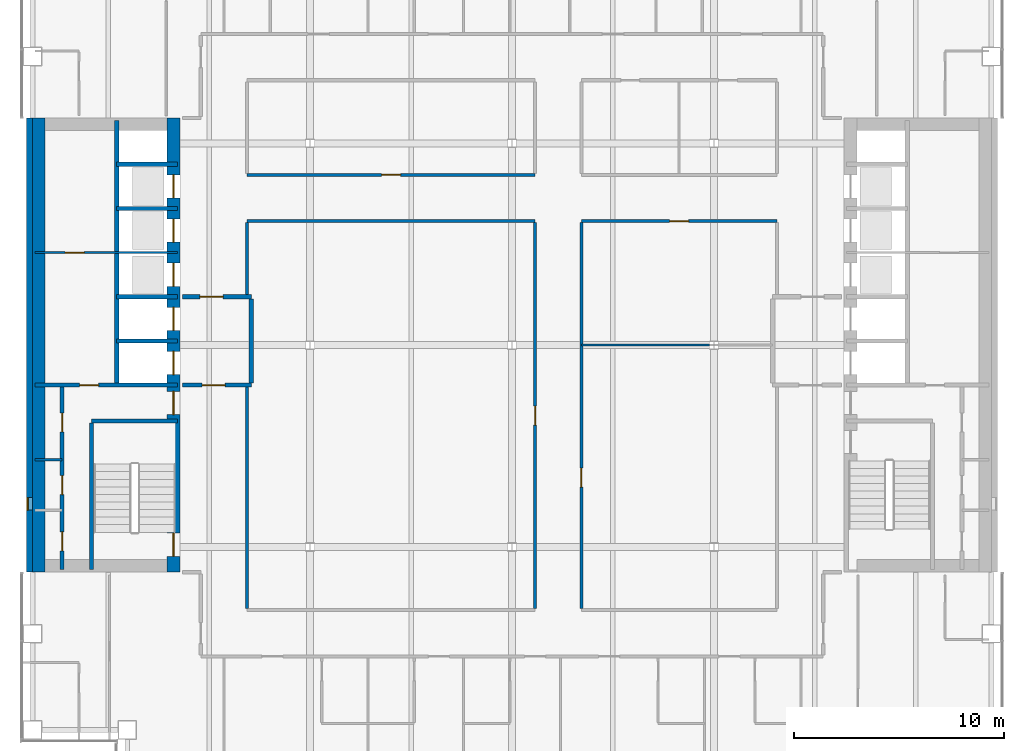
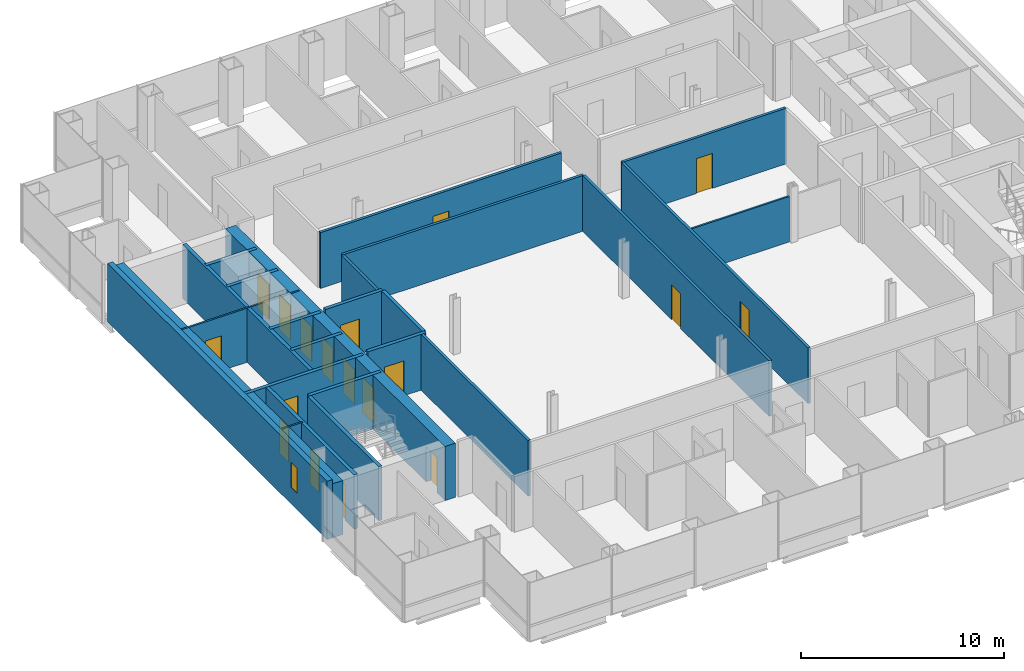
# One storey, part 11 of 16: 26 walls, 18 doors, 1 window, 19 openings.
"""IFC4 building model written with IfcOpenShell, lengths in metres."""

from ifc_helpers import new_model, si_unit, direction, frame, frame_2d, origin, place, context, subcontext, project, spatial, rectangle, extrude, material, layer, layer_set, type_object, element, fill, save


model = new_model("IFC4")

# Units and contexts
model_context = context("Model", 3, precision=1e-05, world=origin(), true_north=direction((0.0, 1.0)))
body_context = subcontext(model_context, "Body", "Model", "MODEL_VIEW")
ifc_project = project(units=[si_unit("LENGTHUNIT", "METRE"), si_unit("AREAUNIT", "SQUARE_METRE"), si_unit("VOLUMEUNIT", "CUBIC_METRE"), si_unit("PLANEANGLEUNIT", "RADIAN"), si_unit("MASSUNIT", "GRAM", prefix="KILO")], contexts=[model_context])

# Site, building, storey
site_placement = place(None, origin())
site = spatial("IfcSite", under=ifc_project, at=site_placement, CompositionType="ELEMENT")
building_placement = place(site_placement, origin())
building = spatial("IfcBuilding", under=site, at=building_placement, Name="Cobrizo Arcos Hotel Tower", CompositionType="ELEMENT")
storey_placement = place(building_placement, frame((0.0, 0.0, 92.5)))
storey = spatial("IfcBuildingStorey", under=building, at=storey_placement, Name="L22", CompositionType="ELEMENT", Elevation=92.5)

# Wall
ifc_material_1 = material(Name="Gypsum board partition")
ifc_layer_1 = layer(ifc_material_1, 0.14990234375)
ifc_layer_set_1 = layer_set([ifc_layer_1], Name="Corridor wall EI 60 150")
wall_type_1 = type_object("IfcWallType", Name="Corridor wall EI 60 150", PredefinedType="PARTITIONING", material=ifc_layer_set_1)
wall_1_placement = place(storey_placement, frame((-12.60009765625, 5.89990234375, 0.0), z_axis=(0.0, 0.0, 1.0), x_axis=(1.0, 0.0, 0.0)))
element("IfcWall", 1, at=wall_1_placement, inside=storey, type_object=wall_type_1, Name="Partition 033", PredefinedType="PARTITIONING", context=body_context, shape_type="SweptSolid", body=[
    extrude(rectangle(XDim=13.7001953125, YDim=0.14990234375, at=frame_2d((6.85009765625, 0.0))), origin(), (0.0, 0.0, 1.0), 3.35009765625),
])

# Wall, opening, door
wall_2_placement = place(storey_placement, frame((3.300048828125, 5.89990234375, 0.0), z_axis=(0.0, 0.0, 1.0), x_axis=(1.0, 0.0, 0.0)))
wall_2 = element("IfcWall", 2, at=wall_2_placement, inside=storey, type_object=wall_type_1, Name="Partition 034", PredefinedType="PARTITIONING", context=body_context, shape_type="SweptSolid", body=[
    extrude(rectangle(XDim=9.300048828125, YDim=0.14990234375, at=frame_2d((4.64990234375, 0.0))), origin(), (0.0, 0.0, 1.0), 3.35009765625),
])
opening_1_placement = place(wall_2_placement, frame((4.199951171875, 0.0, 0.0)))
opening_1 = element("IfcOpeningElement", 3, at=opening_1_placement, cuts=wall_2, Name="Opening RD-16", PredefinedType="OPENING", context=body_context, shape_type="SweptSolid", body=[
    extrude(rectangle(XDim=0.89990234375, YDim=2.10009765625, at=frame_2d((0.449951171875, 1.050048828125))), frame((0.0, 0.0869140625, 0.0), z_axis=(0.0, -1.0, 0.0), x_axis=(1.0, 0.0, 0.0)), (0.0, 0.0, 1.0), 0.173828125),
])
ifc_material_2 = material(Name="Timber door leaf", Category="wood")
door_type_1 = type_object("IfcDoorType", Name="Room door FD30 900x2100", OperationType="SINGLE_SWING_LEFT", PredefinedType="DOOR", material=ifc_material_2)
door_1_placement = place(opening_1_placement, origin())
door_1 = element("IfcDoor", 4, at=door_1_placement, inside=storey, type_object=door_type_1, Name="Door RD-16", OperationType="SINGLE_SWING_RIGHT", OverallHeight=2.10009765625, OverallWidth=0.89990234375, PredefinedType="DOOR", context=body_context, shape_type="SweptSolid", body=[
    extrude(rectangle(XDim=0.89990234375, YDim=2.10009765625, at=frame_2d((0.449951171875, 1.050048828125))), frame((0.0, 0.02490234375, 0.0), z_axis=(0.0, -1.0, 0.0), x_axis=(1.0, 0.0, 0.0)), (0.0, 0.0, 1.0), 0.050048828125),
])
fill(opening_1, door_1)

wall_3_placement = place(storey_placement, frame((-12.60009765625, 8.10009765625, 0.0), z_axis=(0.0, 0.0, 1.0), x_axis=(1.0, 0.0, 0.0)))
wall_3 = element("IfcWall", 5, at=wall_3_placement, inside=storey, type_object=wall_type_1, Name="Partition 037", PredefinedType="PARTITIONING", context=body_context, shape_type="SweptSolid", body=[
    extrude(rectangle(XDim=13.7001953125, YDim=0.14990234375, at=frame_2d((6.85009765625, 0.0))), origin(), (0.0, 0.0, 1.0), 3.35009765625),
])
opening_2_placement = place(wall_3_placement, frame((6.39990234375, 0.0, 0.0)))
opening_2 = element("IfcOpeningElement", 6, at=opening_2_placement, cuts=wall_3, Name="Opening RD-17", PredefinedType="OPENING", context=body_context, shape_type="SweptSolid", body=[
    extrude(rectangle(XDim=0.89990234375, YDim=2.10009765625, at=frame_2d((0.449951171875, 1.050048828125))), frame((0.0, 0.0869140625, 0.0), z_axis=(0.0, -1.0, 0.0), x_axis=(1.0, 0.0, 0.0)), (0.0, 0.0, 1.0), 0.173828125),
])
door_2_placement = place(opening_2_placement, origin())
door_2 = element("IfcDoor", 7, at=door_2_placement, inside=storey, type_object=door_type_1, Name="Door RD-17", OperationType="SINGLE_SWING_RIGHT", OverallHeight=2.10009765625, OverallWidth=0.89990234375, PredefinedType="DOOR", context=body_context, shape_type="SweptSolid", body=[
    extrude(rectangle(XDim=0.89990234375, YDim=2.10009765625, at=frame_2d((0.449951171875, 1.050048828125))), frame((0.0, 0.02490234375, 0.0), z_axis=(0.0, -1.0, 0.0), x_axis=(1.0, 0.0, 0.0)), (0.0, 0.0, 1.0), 0.050048828125),
])
fill(opening_2, door_2)

# Walls
wall_4_placement = place(storey_placement, frame((-12.60009765625, -12.52490234375, 0.0), z_axis=(0.0, 0.0, 1.0), x_axis=(0.0, 1.0, 0.0)))
element("IfcWall", 8, at=wall_4_placement, inside=storey, type_object=wall_type_1, Name="Partition 064", PredefinedType="PARTITIONING", context=body_context, shape_type="SweptSolid", body=[
    extrude(rectangle(XDim=10.52490234375, YDim=0.14990234375, at=frame_2d((5.262451171875, 0.0))), origin(), (0.0, 0.0, 1.0), 3.35009765625),
])
wall_5_placement = place(storey_placement, frame((-12.60009765625, 2.39990234375, 0.0), z_axis=(0.0, 0.0, 1.0), x_axis=(0.0, 1.0, 0.0)))
element("IfcWall", 9, at=wall_5_placement, inside=storey, type_object=wall_type_1, Name="Partition 065", PredefinedType="PARTITIONING", context=body_context, shape_type="SweptSolid", body=[
    extrude(rectangle(XDim=3.425048828125, YDim=0.14990234375, at=frame_2d((1.71240234375, 0.0))), origin(), (0.0, 0.0, 1.0), 3.35009765625),
])

# Wall, opening, door
wall_6_placement = place(storey_placement, frame((1.10009765625, -12.52490234375, 0.0), z_axis=(0.0, 0.0, 1.0), x_axis=(0.0, 1.0, 0.0)))
wall_6 = element("IfcWall", 10, at=wall_6_placement, inside=storey, type_object=wall_type_1, Name="Partition 079", PredefinedType="PARTITIONING", context=body_context, shape_type="SweptSolid", body=[
    extrude(rectangle(XDim=18.349853515625, YDim=0.14990234375, at=frame_2d((9.1748046875, 0.0))), origin(), (0.0, 0.0, 1.0), 3.35009765625),
])
opening_3_placement = place(wall_6_placement, frame((8.72509765625, 0.0, 0.0)))
opening_3 = element("IfcOpeningElement", 11, at=opening_3_placement, cuts=wall_6, Name="Opening RD-19", PredefinedType="OPENING", context=body_context, shape_type="SweptSolid", body=[
    extrude(rectangle(XDim=0.89990234375, YDim=2.10009765625, at=frame_2d((0.449951171875, 1.050048828125))), frame((0.0, 0.0869140625, 0.0), z_axis=(0.0, -1.0, 0.0), x_axis=(1.0, 0.0, 0.0)), (0.0, 0.0, 1.0), 0.173828125),
])
door_3_placement = place(opening_3_placement, origin())
door_3 = element("IfcDoor", 12, at=door_3_placement, inside=storey, type_object=door_type_1, Name="Door RD-19", OperationType="SINGLE_SWING_RIGHT", OverallHeight=2.10009765625, OverallWidth=0.89990234375, PredefinedType="DOOR", context=body_context, shape_type="SweptSolid", body=[
    extrude(rectangle(XDim=0.89990234375, YDim=2.10009765625, at=frame_2d((0.449951171875, 1.050048828125))), frame((0.0, 0.02490234375, 0.0), z_axis=(0.0, -1.0, 0.0), x_axis=(1.0, 0.0, 0.0)), (0.0, 0.0, 1.0), 0.050048828125),
])
fill(opening_3, door_3)

wall_7_placement = place(storey_placement, frame((3.300048828125, -12.52490234375, 0.0), z_axis=(0.0, 0.0, 1.0), x_axis=(0.0, 1.0, 0.0)))
wall_7 = element("IfcWall", 13, at=wall_7_placement, inside=storey, type_object=wall_type_1, Name="Partition 083", PredefinedType="PARTITIONING", context=body_context, shape_type="SweptSolid", body=[
    extrude(rectangle(XDim=18.349853515625, YDim=0.14990234375, at=frame_2d((9.1748046875, 0.0))), origin(), (0.0, 0.0, 1.0), 3.35009765625),
])
opening_4_placement = place(wall_7_placement, frame((5.77490234375, 0.0, 0.0)))
opening_4 = element("IfcOpeningElement", 14, at=opening_4_placement, cuts=wall_7, Name="Opening RD-18", PredefinedType="OPENING", context=body_context, shape_type="SweptSolid", body=[
    extrude(rectangle(XDim=0.89990234375, YDim=2.10009765625, at=frame_2d((0.449951171875, 1.050048828125))), frame((0.0, 0.0869140625, 0.0), z_axis=(0.0, -1.0, 0.0), x_axis=(1.0, 0.0, 0.0)), (0.0, 0.0, 1.0), 0.173828125),
])
door_4_placement = place(opening_4_placement, origin())
door_4 = element("IfcDoor", 15, at=door_4_placement, inside=storey, type_object=door_type_1, Name="Door RD-18", OperationType="SINGLE_SWING_LEFT", OverallHeight=2.10009765625, OverallWidth=0.89990234375, PredefinedType="DOOR", context=body_context, shape_type="SweptSolid", body=[
    extrude(rectangle(XDim=0.89990234375, YDim=2.10009765625, at=frame_2d((0.449951171875, 1.050048828125))), frame((0.0, 0.02490234375, 0.0), z_axis=(0.0, -1.0, 0.0), x_axis=(1.0, 0.0, 0.0)), (0.0, 0.0, 1.0), 0.050048828125),
])
fill(opening_4, door_4)

# Wall, opening, window
ifc_material_3 = material(Name="Aluminium composite panel pale metal", Category="aluminium")
ifc_layer_2 = layer(ifc_material_3, 0.300048828125)
ifc_layer_set_2 = layer_set([ifc_layer_2], Name="EW-1 insulated panel wall 300")
wall_type_2 = type_object("IfcWallType", Name="EW-1 insulated panel wall 300", PredefinedType="SOLIDWALL", material=ifc_layer_set_2)
wall_8_placement = place(storey_placement, frame((-22.949951171875, 10.800048828125, 0.0), z_axis=(0.0, 0.0, 1.0), x_axis=(0.0, -1.0, 0.0)))
wall_8 = element("IfcWall", 16, at=wall_8_placement, inside=storey, type_object=wall_type_2, Name="Core face wall L22 W", PredefinedType="SOLIDWALL", context=body_context, shape_type="SweptSolid", body=[
    extrude(rectangle(XDim=21.60009765625, YDim=0.300048828125, at=frame_2d((10.800048828125, 0.0))), origin(), (0.0, 0.0, 1.0), 3.5),
])
opening_5_placement = place(wall_8_placement, frame((18.050048828125, 0.0, 1.0)))
opening_5 = element("IfcOpeningElement", 17, at=opening_5_placement, cuts=wall_8, Name="Opening W-46", PredefinedType="OPENING", context=body_context, shape_type="SweptSolid", body=[
    extrude(rectangle(XDim=0.60009765625, YDim=1.5, at=frame_2d((0.300048828125, 0.75))), frame((0.0, 0.162109375, 0.0), z_axis=(0.0, -1.0, 0.0), x_axis=(1.0, 0.0, 0.0)), (0.0, 0.0, 1.0), 0.323974609375),
])
ifc_material_4 = material(Name="Aluminium 6063-T6 and clear laminated glass", Category="aluminium")
window_type = type_object("IfcWindowType", Name="W-C1 core stair slot window 600x1500", PartitioningType="SINGLE_PANEL", PredefinedType="WINDOW", material=ifc_material_4)
window_placement = place(opening_5_placement, origin())
window = element("IfcWindow", 18, at=window_placement, inside=storey, type_object=window_type, Name="Core face wall L22 W window W-46", OverallHeight=1.5, OverallWidth=0.60009765625, PartitioningType="SINGLE_PANEL", PredefinedType="WINDOW", context=body_context, shape_type="SweptSolid", body=[
    extrude(rectangle(XDim=0.60009765625, YDim=1.5, at=frame_2d((0.300048828125, 0.75))), frame((0.0, -0.06005859375, 0.0), z_axis=(0.0, -1.0, 0.0), x_axis=(1.0, 0.0, 0.0)), (0.0, 0.0, 1.0), 0.06005859375),
])
fill(opening_5, window)

# Walls
ifc_layer_3 = layer(ifc_material_1, 0.10009765625)
ifc_layer_set_3 = layer_set([ifc_layer_3], Name="Partition EI 30 100")
wall_type_3 = type_object("IfcWallType", Name="Partition EI 30 100", PredefinedType="PARTITIONING", material=ifc_layer_set_3)
wall_9_placement = place(storey_placement, frame((-22.679931640625, -5.449951171875, 0.0), z_axis=(0.0, 0.0, 1.0), x_axis=(1.0, 0.0, 0.0)))
element("IfcWall", 19, at=wall_9_placement, inside=storey, type_object=wall_type_3, Name="Partition 014", PredefinedType="PARTITIONING", context=body_context, shape_type="SweptSolid", body=[
    extrude(rectangle(XDim=1.280029296875, YDim=0.10009765625, at=frame_2d((0.64013671875, 0.0))), origin(), (0.0, 0.0, 1.0), 3.25),
])
wall_10_placement = place(storey_placement, frame((3.300048828125, 0.0, 0.0), z_axis=(0.0, 0.0, 1.0), x_axis=(1.0, 0.0, 0.0)))
element("IfcWall", 20, at=wall_10_placement, inside=storey, type_object=wall_type_3, Name="Partition 022", PredefinedType="PARTITIONING", context=body_context, shape_type="SweptSolid", body=[
    extrude(rectangle(XDim=6.100830078125, YDim=0.10009765625, at=frame_2d((3.05029296875, 0.0))), origin(), (0.0, 0.0, 1.0), 2.72802734375),
])

# Wall, opening, door
wall_11_placement = place(storey_placement, frame((-22.679931640625, 4.39990234375, 0.0), z_axis=(0.0, 0.0, 1.0), x_axis=(1.0, 0.0, 0.0)))
wall_11 = element("IfcWall", 21, at=wall_11_placement, inside=storey, type_object=wall_type_3, Name="Partition 031", PredefinedType="PARTITIONING", context=body_context, shape_type="SweptSolid", body=[
    extrude(rectangle(XDim=6.760009765625, YDim=0.10009765625, at=frame_2d((3.3798828125, 0.0))), origin(), (0.0, 0.0, 1.0), 3.25),
])
opening_6_placement = place(wall_11_placement, frame((1.429931640625, 0.0, 0.0)))
opening_6 = element("IfcOpeningElement", 22, at=opening_6_placement, cuts=wall_11, Name="Opening RD-05", PredefinedType="OPENING", context=body_context, shape_type="SweptSolid", body=[
    extrude(rectangle(XDim=0.89990234375, YDim=2.10009765625, at=frame_2d((0.449951171875, 1.050048828125))), frame((0.0, 0.06201171875, 0.0), z_axis=(0.0, -1.0, 0.0), x_axis=(1.0, 0.0, 0.0)), (0.0, 0.0, 1.0), 0.1240234375),
])
door_5_placement = place(opening_6_placement, origin())
door_5 = element("IfcDoor", 23, at=door_5_placement, inside=storey, type_object=door_type_1, Name="Door RD-05", OperationType="SINGLE_SWING_RIGHT", OverallHeight=2.10009765625, OverallWidth=0.89990234375, PredefinedType="DOOR", context=body_context, shape_type="SweptSolid", body=[
    extrude(rectangle(XDim=0.89990234375, YDim=2.10009765625, at=frame_2d((0.449951171875, 1.050048828125))), frame((0.0, 0.02490234375, 0.0), z_axis=(0.0, -1.0, 0.0), x_axis=(1.0, 0.0, 0.0)), (0.0, 0.0, 1.0), 0.050048828125),
])
fill(opening_6, door_5)

# Wall, openings, doors
ifc_material_5 = material(Name="Concrete f'c 50 MPa", Category="concrete")
ifc_layer_4 = layer(ifc_material_5, 0.60009765625)
ifc_layer_set_4 = layer_set([ifc_layer_4], Name="RC core wall 600 f'c 50")
wall_type_4 = type_object("IfcWallType", Name="RC core wall 600 f'c 50", PredefinedType="SHEAR", material=ifc_layer_set_4)
wall_12_placement = place(storey_placement, frame((-16.10009765625, -10.800048828125, 0.0), z_axis=(0.0, 0.0, 1.0), x_axis=(0.0, 1.0, 0.0)))
wall_12 = element("IfcWall", 24, at=wall_12_placement, inside=storey, type_object=wall_type_4, Name="Core wall CW2, west core, inner face, L22", PredefinedType="SHEAR", context=body_context, shape_type="SweptSolid", body=[
    extrude(rectangle(XDim=21.60009765625, YDim=0.60009765625, at=frame_2d((10.800048828125, 0.0))), origin(), (0.0, 0.0, 1.0), 3.25),
])
opening_7_placement = place(wall_12_placement, frame((9.39990234375, 0.0, 0.0)))
opening_7 = element("IfcOpeningElement", 25, at=opening_7_placement, cuts=wall_12, Name="Opening LD-01", PredefinedType="OPENING", context=body_context, shape_type="SweptSolid", body=[
    extrude(rectangle(XDim=1.10009765625, YDim=2.10009765625, at=frame_2d((0.550048828125, 1.050048828125))), frame((0.0, 0.31201171875, 0.0), z_axis=(0.0, -1.0, 0.0), x_axis=(1.0, 0.0, 0.0)), (0.0, 0.0, 1.0), 0.6240234375),
])
opening_8_placement = place(wall_12_placement, frame((11.5, 0.0, 0.0)))
opening_8 = element("IfcOpeningElement", 26, at=opening_8_placement, cuts=wall_12, Name="Opening LD-02", PredefinedType="OPENING", context=body_context, shape_type="SweptSolid", body=[
    extrude(rectangle(XDim=1.10009765625, YDim=2.10009765625, at=frame_2d((0.550048828125, 1.050048828125))), frame((0.0, 0.31201171875, 0.0), z_axis=(0.0, -1.0, 0.0), x_axis=(1.0, 0.0, 0.0)), (0.0, 0.0, 1.0), 0.6240234375),
])
opening_9_placement = place(wall_12_placement, frame((13.60009765625, 0.0, 0.0)))
opening_9 = element("IfcOpeningElement", 27, at=opening_9_placement, cuts=wall_12, Name="Opening LD-03", PredefinedType="OPENING", context=body_context, shape_type="SweptSolid", body=[
    extrude(rectangle(XDim=1.10009765625, YDim=2.10009765625, at=frame_2d((0.550048828125, 1.050048828125))), frame((0.0, 0.31201171875, 0.0), z_axis=(0.0, -1.0, 0.0), x_axis=(1.0, 0.0, 0.0)), (0.0, 0.0, 1.0), 0.6240234375),
])
opening_10_placement = place(wall_12_placement, frame((15.699951171875, 0.0, 0.0)))
opening_10 = element("IfcOpeningElement", 28, at=opening_10_placement, cuts=wall_12, Name="Opening LD-04", PredefinedType="OPENING", context=body_context, shape_type="SweptSolid", body=[
    extrude(rectangle(XDim=1.10009765625, YDim=2.10009765625, at=frame_2d((0.550048828125, 1.050048828125))), frame((0.0, 0.31201171875, 0.0), z_axis=(0.0, -1.0, 0.0), x_axis=(1.0, 0.0, 0.0)), (0.0, 0.0, 1.0), 0.6240234375),
])
opening_11_placement = place(wall_12_placement, frame((17.800048828125, 0.0, 0.0)))
opening_11 = element("IfcOpeningElement", 29, at=opening_11_placement, cuts=wall_12, Name="Opening LD-05", PredefinedType="OPENING", context=body_context, shape_type="SweptSolid", body=[
    extrude(rectangle(XDim=1.10009765625, YDim=2.10009765625, at=frame_2d((0.550048828125, 1.050048828125))), frame((0.0, 0.31201171875, 0.0), z_axis=(0.0, -1.0, 0.0), x_axis=(1.0, 0.0, 0.0)), (0.0, 0.0, 1.0), 0.6240234375),
])
opening_12_placement = place(wall_12_placement, frame((0.758056640625, 0.0, 0.0)))
opening_12 = element("IfcOpeningElement", 30, at=opening_12_placement, cuts=wall_12, Name="Opening SD-01", PredefinedType="OPENING", context=body_context, shape_type="SweptSolid", body=[
    extrude(rectangle(XDim=1.10009765625, YDim=2.10009765625, at=frame_2d((0.550048828125, 1.050048828125))), frame((0.0, 0.31201171875, 0.0), z_axis=(0.0, -1.0, 0.0), x_axis=(1.0, 0.0, 0.0)), (0.0, 0.0, 1.0), 0.6240234375),
])
opening_13_placement = place(wall_12_placement, frame((7.5, 0.0, 0.0)))
opening_13 = element("IfcOpeningElement", 31, at=opening_13_placement, cuts=wall_12, Name="Opening FD-01", PredefinedType="OPENING", context=body_context, shape_type="SweptSolid", body=[
    extrude(rectangle(XDim=1.10009765625, YDim=2.10009765625, at=frame_2d((0.550048828125, 1.050048828125))), frame((0.0, 0.31201171875, 0.0), z_axis=(0.0, -1.0, 0.0), x_axis=(1.0, 0.0, 0.0)), (0.0, 0.0, 1.0), 0.6240234375),
])
ifc_material_6 = material(Name="Steel door leaf", Category="steel")
door_type_2 = type_object("IfcDoorType", Name="Fire door FD60 1100x2100", OperationType="SINGLE_SWING_LEFT", PredefinedType="DOOR", material=ifc_material_6)
door_6_placement = place(opening_13_placement, origin())
door_6 = element("IfcDoor", 32, at=door_6_placement, inside=storey, type_object=door_type_2, Name="Door FD-01", OperationType="SINGLE_SWING_LEFT", OverallHeight=2.10009765625, OverallWidth=1.10009765625, PredefinedType="DOOR", context=body_context, shape_type="SweptSolid", body=[
    extrude(rectangle(XDim=1.10009765625, YDim=2.10009765625, at=frame_2d((0.550048828125, 1.050048828125))), frame((0.0, 0.02490234375, 0.0), z_axis=(0.0, -1.0, 0.0), x_axis=(1.0, 0.0, 0.0)), (0.0, 0.0, 1.0), 0.050048828125),
])
fill(opening_13, door_6)
door_type_3 = type_object("IfcDoorType", Name="Lift landing door 1100x2100", OperationType="SLIDING_TO_LEFT", PredefinedType="DOOR", material=ifc_material_6)
door_7_placement = place(opening_7_placement, origin())
door_7 = element("IfcDoor", 33, at=door_7_placement, inside=storey, type_object=door_type_3, Name="Lift landing door LD-01", OperationType="SLIDING_TO_LEFT", OverallHeight=2.10009765625, OverallWidth=1.10009765625, PredefinedType="DOOR", context=body_context, shape_type="SweptSolid", body=[
    extrude(rectangle(XDim=1.10009765625, YDim=2.10009765625, at=frame_2d((0.550048828125, 1.050048828125))), frame((0.0, 0.02490234375, 0.0), z_axis=(0.0, -1.0, 0.0), x_axis=(1.0, 0.0, 0.0)), (0.0, 0.0, 1.0), 0.050048828125),
])
fill(opening_7, door_7)
door_8_placement = place(opening_8_placement, origin())
door_8 = element("IfcDoor", 34, at=door_8_placement, inside=storey, type_object=door_type_3, Name="Lift landing door LD-02", OperationType="SLIDING_TO_LEFT", OverallHeight=2.10009765625, OverallWidth=1.10009765625, PredefinedType="DOOR", context=body_context, shape_type="SweptSolid", body=[
    extrude(rectangle(XDim=1.10009765625, YDim=2.10009765625, at=frame_2d((0.550048828125, 1.050048828125))), frame((0.0, 0.02490234375, 0.0), z_axis=(0.0, -1.0, 0.0), x_axis=(1.0, 0.0, 0.0)), (0.0, 0.0, 1.0), 0.050048828125),
])
fill(opening_8, door_8)
door_9_placement = place(opening_9_placement, origin())
door_9 = element("IfcDoor", 35, at=door_9_placement, inside=storey, type_object=door_type_3, Name="Lift landing door LD-03", OperationType="SLIDING_TO_LEFT", OverallHeight=2.10009765625, OverallWidth=1.10009765625, PredefinedType="DOOR", context=body_context, shape_type="SweptSolid", body=[
    extrude(rectangle(XDim=1.10009765625, YDim=2.10009765625, at=frame_2d((0.550048828125, 1.050048828125))), frame((0.0, 0.02490234375, 0.0), z_axis=(0.0, -1.0, 0.0), x_axis=(1.0, 0.0, 0.0)), (0.0, 0.0, 1.0), 0.050048828125),
])
fill(opening_9, door_9)
door_10_placement = place(opening_10_placement, origin())
door_10 = element("IfcDoor", 36, at=door_10_placement, inside=storey, type_object=door_type_3, Name="Lift landing door LD-04", OperationType="SLIDING_TO_LEFT", OverallHeight=2.10009765625, OverallWidth=1.10009765625, PredefinedType="DOOR", context=body_context, shape_type="SweptSolid", body=[
    extrude(rectangle(XDim=1.10009765625, YDim=2.10009765625, at=frame_2d((0.550048828125, 1.050048828125))), frame((0.0, 0.02490234375, 0.0), z_axis=(0.0, -1.0, 0.0), x_axis=(1.0, 0.0, 0.0)), (0.0, 0.0, 1.0), 0.050048828125),
])
fill(opening_10, door_10)
door_11_placement = place(opening_11_placement, origin())
door_11 = element("IfcDoor", 37, at=door_11_placement, inside=storey, type_object=door_type_3, Name="Lift landing door LD-05", OperationType="SLIDING_TO_LEFT", OverallHeight=2.10009765625, OverallWidth=1.10009765625, PredefinedType="DOOR", context=body_context, shape_type="SweptSolid", body=[
    extrude(rectangle(XDim=1.10009765625, YDim=2.10009765625, at=frame_2d((0.550048828125, 1.050048828125))), frame((0.0, 0.02490234375, 0.0), z_axis=(0.0, -1.0, 0.0), x_axis=(1.0, 0.0, 0.0)), (0.0, 0.0, 1.0), 0.050048828125),
])
fill(opening_11, door_11)
door_type_4 = type_object("IfcDoorType", Name="Stair door FD60S 1100x2100", OperationType="SINGLE_SWING_LEFT", PredefinedType="DOOR", material=ifc_material_6)
door_12_placement = place(opening_12_placement, origin())
door_12 = element("IfcDoor", 38, at=door_12_placement, inside=storey, type_object=door_type_4, Name="Door SD-01", OperationType="SINGLE_SWING_RIGHT", OverallHeight=2.10009765625, OverallWidth=1.10009765625, PredefinedType="DOOR", context=body_context, shape_type="SweptSolid", body=[
    extrude(rectangle(XDim=1.10009765625, YDim=2.10009765625, at=frame_2d((0.550048828125, 1.050048828125))), frame((0.0, 0.02490234375, 0.0), z_axis=(0.0, -1.0, 0.0), x_axis=(1.0, 0.0, 0.0)), (0.0, 0.0, 1.0), 0.050048828125),
])
fill(opening_12, door_12)

# Wall
wall_13_placement = place(storey_placement, frame((-22.5, -10.800048828125, 0.0), z_axis=(0.0, 0.0, 1.0), x_axis=(0.0, 1.0, 0.0)))
element("IfcWall", 39, at=wall_13_placement, inside=storey, type_object=wall_type_4, Name="Core wall CW2, west core, outer face, L22", PredefinedType="SHEAR", context=body_context, shape_type="SweptSolid", body=[
    extrude(rectangle(XDim=21.60009765625, YDim=0.60009765625, at=frame_2d((10.800048828125, 0.0))), origin(), (0.0, 0.0, 1.0), 3.25),
])

# Wall, opening, door
ifc_layer_5 = layer(ifc_material_1, 0.199951171875)
ifc_layer_set_5 = layer_set([ifc_layer_5], Name="Shaft wall EI 120 200")
wall_type_5 = type_object("IfcWallType", Name="Shaft wall EI 120 200", PredefinedType="PARTITIONING", material=ifc_layer_set_5)
wall_14_placement = place(storey_placement, frame((-22.679931640625, -1.89990234375, 0.0), z_axis=(0.0, 0.0, 1.0), x_axis=(1.0, 0.0, 0.0)))
wall_14 = element("IfcWall", 40, at=wall_14_placement, inside=storey, type_object=wall_type_5, Name="Partition 018", PredefinedType="PARTITIONING", context=body_context, shape_type="SweptSolid", body=[
    extrude(rectangle(XDim=6.760009765625, YDim=0.199951171875, at=frame_2d((3.3798828125, 0.0))), origin(), (0.0, 0.0, 1.0), 3.25),
])
opening_14_placement = place(wall_14_placement, frame((2.1201171875, 0.0, 0.0)))
opening_14 = element("IfcOpeningElement", 41, at=opening_14_placement, cuts=wall_14, Name="Opening RD-04", PredefinedType="OPENING", context=body_context, shape_type="SweptSolid", body=[
    extrude(rectangle(XDim=0.89990234375, YDim=2.10009765625, at=frame_2d((0.449951171875, 1.050048828125))), frame((0.0, 0.112060546875, 0.0), z_axis=(0.0, -1.0, 0.0), x_axis=(1.0, 0.0, 0.0)), (0.0, 0.0, 1.0), 0.223876953125),
])
door_13_placement = place(opening_14_placement, origin())
door_13 = element("IfcDoor", 42, at=door_13_placement, inside=storey, type_object=door_type_1, Name="Door RD-04", OperationType="SINGLE_SWING_LEFT", OverallHeight=2.10009765625, OverallWidth=0.89990234375, PredefinedType="DOOR", context=body_context, shape_type="SweptSolid", body=[
    extrude(rectangle(XDim=0.89990234375, YDim=2.10009765625, at=frame_2d((0.449951171875, 1.050048828125))), frame((0.0, 0.02490234375, 0.0), z_axis=(0.0, -1.0, 0.0), x_axis=(1.0, 0.0, 0.0)), (0.0, 0.0, 1.0), 0.050048828125),
])
fill(opening_14, door_13)

wall_15_placement = place(storey_placement, frame((-15.679931640625, -1.89990234375, 0.0), z_axis=(0.0, 0.0, 1.0), x_axis=(1.0, 0.0, 0.0)))
wall_15 = element("IfcWall", 43, at=wall_15_placement, inside=storey, type_object=wall_type_5, Name="Partition 019", PredefinedType="PARTITIONING", context=body_context, shape_type="SweptSolid", body=[
    extrude(rectangle(XDim=3.280029296875, YDim=0.199951171875, at=frame_2d((1.64013671875, 0.0))), origin(), (0.0, 0.0, 1.0), 3.35009765625),
])
opening_15_placement = place(wall_15_placement, frame((0.93994140625, 0.0, 0.0)))
opening_15 = element("IfcOpeningElement", 44, at=opening_15_placement, cuts=wall_15, Name="Opening FD-02", PredefinedType="OPENING", context=body_context, shape_type="SweptSolid", body=[
    extrude(rectangle(XDim=1.10009765625, YDim=2.10009765625, at=frame_2d((0.550048828125, 1.050048828125))), frame((0.0, 0.112060546875, 0.0), z_axis=(0.0, -1.0, 0.0), x_axis=(1.0, 0.0, 0.0)), (0.0, 0.0, 1.0), 0.223876953125),
])
door_14_placement = place(opening_15_placement, origin())
door_14 = element("IfcDoor", 45, at=door_14_placement, inside=storey, type_object=door_type_2, Name="Door FD-02", OperationType="SINGLE_SWING_LEFT", OverallHeight=2.10009765625, OverallWidth=1.10009765625, PredefinedType="DOOR", context=body_context, shape_type="SweptSolid", body=[
    extrude(rectangle(XDim=1.10009765625, YDim=2.10009765625, at=frame_2d((0.550048828125, 1.050048828125))), frame((0.0, 0.02490234375, 0.0), z_axis=(0.0, -1.0, 0.0), x_axis=(1.0, 0.0, 0.0)), (0.0, 0.0, 1.0), 0.050048828125),
])
fill(opening_15, door_14)

# Walls
for number, where, z_axis, x_axis, name in (
    (46, (-18.800048828125, 0.199951171875, 0.0), (0.0, 0.0, 1.0), (1.0, 0.0, 0.0), "Partition 025"),
    (47, (-18.800048828125, 2.300048828125, 0.0), (0.0, 0.0, 1.0), (1.0, 0.0, 0.0), "Partition 027"),
):
    element("IfcWall", number, at=place(storey_placement, frame(where, z_axis=z_axis, x_axis=x_axis)), inside=storey, type_object=wall_type_5, Name=name, PredefinedType="PARTITIONING", context=body_context, shape_type="SweptSolid", body=[
        extrude(rectangle(XDim=2.880126953125, YDim=0.199951171875, at=frame_2d((1.43994140625, 0.0))), origin(), (0.0, 0.0, 1.0), 3.25),
    ])

# Wall, opening, door
wall_16_placement = place(storey_placement, frame((-15.679931640625, 2.300048828125, 0.0), z_axis=(0.0, 0.0, 1.0), x_axis=(1.0, 0.0, 0.0)))
wall_16 = element("IfcWall", 48, at=wall_16_placement, inside=storey, type_object=wall_type_5, Name="Partition 028", PredefinedType="PARTITIONING", context=body_context, shape_type="SweptSolid", body=[
    extrude(rectangle(XDim=3.280029296875, YDim=0.199951171875, at=frame_2d((1.64013671875, 0.0))), origin(), (0.0, 0.0, 1.0), 3.35009765625),
])
opening_16_placement = place(wall_16_placement, frame((0.840087890625, 0.0, 0.0)))
opening_16 = element("IfcOpeningElement", 49, at=opening_16_placement, cuts=wall_16, Name="Opening FD-03", PredefinedType="OPENING", context=body_context, shape_type="SweptSolid", body=[
    extrude(rectangle(XDim=1.10009765625, YDim=2.10009765625, at=frame_2d((0.550048828125, 1.050048828125))), frame((0.0, 0.112060546875, 0.0), z_axis=(0.0, -1.0, 0.0), x_axis=(1.0, 0.0, 0.0)), (0.0, 0.0, 1.0), 0.223876953125),
])
door_15_placement = place(opening_16_placement, origin())
door_15 = element("IfcDoor", 50, at=door_15_placement, inside=storey, type_object=door_type_2, Name="Door FD-03", OperationType="SINGLE_SWING_LEFT", OverallHeight=2.10009765625, OverallWidth=1.10009765625, PredefinedType="DOOR", context=body_context, shape_type="SweptSolid", body=[
    extrude(rectangle(XDim=1.10009765625, YDim=2.10009765625, at=frame_2d((0.550048828125, 1.050048828125))), frame((0.0, 0.02490234375, 0.0), z_axis=(0.0, -1.0, 0.0), x_axis=(1.0, 0.0, 0.0)), (0.0, 0.0, 1.0), 0.050048828125),
])
fill(opening_16, door_15)

# Walls
for number, where, z_axis, x_axis, name in (
    (51, (-18.800048828125, 6.5, 0.0), (0.0, 0.0, 1.0), (1.0, 0.0, 0.0), "Partition 035"),
    (52, (-18.800048828125, 8.60009765625, 0.0), (0.0, 0.0, 1.0), (1.0, 0.0, 0.0), "Partition 039"),
):
    element("IfcWall", number, at=place(storey_placement, frame(where, z_axis=z_axis, x_axis=x_axis)), inside=storey, type_object=wall_type_5, Name=name, PredefinedType="PARTITIONING", context=body_context, shape_type="SweptSolid", body=[
        extrude(rectangle(XDim=2.880126953125, YDim=0.199951171875, at=frame_2d((1.43994140625, 0.0))), origin(), (0.0, 0.0, 1.0), 3.25),
    ])

# Wall, openings, doors
wall_17_placement = place(storey_placement, frame((-21.39990234375, -10.679931640625, 0.0), z_axis=(0.0, 0.0, 1.0), x_axis=(0.0, 1.0, 0.0)))
wall_17 = element("IfcWall", 53, at=wall_17_placement, inside=storey, type_object=wall_type_5, Name="Partition 052", PredefinedType="PARTITIONING", context=body_context, shape_type="SweptSolid", body=[
    extrude(rectangle(XDim=8.679931640625, YDim=0.199951171875, at=frame_2d((4.33984375, 0.0))), origin(), (0.0, 0.0, 1.0), 3.25),
])
opening_17_placement = place(wall_17_placement, frame((0.89892578125, 0.0, 0.0)))
opening_17 = element("IfcOpeningElement", 54, at=opening_17_placement, cuts=wall_17, Name="Opening RD-01", PredefinedType="OPENING", context=body_context, shape_type="SweptSolid", body=[
    extrude(rectangle(XDim=0.89990234375, YDim=2.10009765625, at=frame_2d((0.449951171875, 1.050048828125))), frame((0.0, 0.112060546875, 0.0), z_axis=(0.0, -1.0, 0.0), x_axis=(1.0, 0.0, 0.0)), (0.0, 0.0, 1.0), 0.223876953125),
])
opening_18_placement = place(wall_17_placement, frame((3.569091796875, 0.0, 0.0)))
opening_18 = element("IfcOpeningElement", 55, at=opening_18_placement, cuts=wall_17, Name="Opening RD-02", PredefinedType="OPENING", context=body_context, shape_type="SweptSolid", body=[
    extrude(rectangle(XDim=0.89990234375, YDim=2.10009765625, at=frame_2d((0.449951171875, 1.050048828125))), frame((0.0, 0.112060546875, 0.0), z_axis=(0.0, -1.0, 0.0), x_axis=(1.0, 0.0, 0.0)), (0.0, 0.0, 1.0), 0.223876953125),
])
opening_19_placement = place(wall_17_placement, frame((6.550048828125, 0.0, 0.0)))
opening_19 = element("IfcOpeningElement", 56, at=opening_19_placement, cuts=wall_17, Name="Opening RD-03", PredefinedType="OPENING", context=body_context, shape_type="SweptSolid", body=[
    extrude(rectangle(XDim=0.89990234375, YDim=2.10009765625, at=frame_2d((0.449951171875, 1.050048828125))), frame((0.0, 0.112060546875, 0.0), z_axis=(0.0, -1.0, 0.0), x_axis=(1.0, 0.0, 0.0)), (0.0, 0.0, 1.0), 0.223876953125),
])
door_16_placement = place(opening_17_placement, origin())
door_16 = element("IfcDoor", 57, at=door_16_placement, inside=storey, type_object=door_type_1, Name="Door RD-01", OperationType="SINGLE_SWING_LEFT", OverallHeight=2.10009765625, OverallWidth=0.89990234375, PredefinedType="DOOR", context=body_context, shape_type="SweptSolid", body=[
    extrude(rectangle(XDim=0.89990234375, YDim=2.10009765625, at=frame_2d((0.449951171875, 1.050048828125))), frame((0.0, 0.02490234375, 0.0), z_axis=(0.0, -1.0, 0.0), x_axis=(1.0, 0.0, 0.0)), (0.0, 0.0, 1.0), 0.050048828125),
])
fill(opening_17, door_16)
door_17_placement = place(opening_18_placement, origin())
door_17 = element("IfcDoor", 58, at=door_17_placement, inside=storey, type_object=door_type_1, Name="Door RD-02", OperationType="SINGLE_SWING_RIGHT", OverallHeight=2.10009765625, OverallWidth=0.89990234375, PredefinedType="DOOR", context=body_context, shape_type="SweptSolid", body=[
    extrude(rectangle(XDim=0.89990234375, YDim=2.10009765625, at=frame_2d((0.449951171875, 1.050048828125))), frame((0.0, 0.02490234375, 0.0), z_axis=(0.0, -1.0, 0.0), x_axis=(1.0, 0.0, 0.0)), (0.0, 0.0, 1.0), 0.050048828125),
])
fill(opening_18, door_17)
door_18_placement = place(opening_19_placement, origin())
door_18 = element("IfcDoor", 59, at=door_18_placement, inside=storey, type_object=door_type_1, Name="Door RD-03", OperationType="SINGLE_SWING_RIGHT", OverallHeight=2.10009765625, OverallWidth=0.89990234375, PredefinedType="DOOR", context=body_context, shape_type="SweptSolid", body=[
    extrude(rectangle(XDim=0.89990234375, YDim=2.10009765625, at=frame_2d((0.449951171875, 1.050048828125))), frame((0.0, 0.02490234375, 0.0), z_axis=(0.0, -1.0, 0.0), x_axis=(1.0, 0.0, 0.0)), (0.0, 0.0, 1.0), 0.050048828125),
])
fill(opening_19, door_18)

# Walls
wall_18_placement = place(storey_placement, frame((-18.800048828125, -1.800048828125, 0.0), z_axis=(0.0, 0.0, 1.0), x_axis=(0.0, 1.0, 0.0)))
element("IfcWall", 60, at=wall_18_placement, inside=storey, type_object=wall_type_5, Name="Partition 057", PredefinedType="PARTITIONING", context=body_context, shape_type="SweptSolid", body=[
    extrude(rectangle(XDim=6.150146484375, YDim=0.199951171875, at=frame_2d((3.0751953125, 0.0))), origin(), (0.0, 0.0, 1.0), 3.25),
])
wall_19_placement = place(storey_placement, frame((-18.800048828125, 4.449951171875, 0.0), z_axis=(0.0, 0.0, 1.0), x_axis=(0.0, 1.0, 0.0)))
element("IfcWall", 61, at=wall_19_placement, inside=storey, type_object=wall_type_5, Name="Partition 058", PredefinedType="PARTITIONING", context=body_context, shape_type="SweptSolid", body=[
    extrude(rectangle(XDim=6.22998046875, YDim=0.199951171875, at=frame_2d((3.114990234375, 0.0))), origin(), (0.0, 0.0, 1.0), 3.25),
])
wall_20_placement = place(storey_placement, frame((-12.39990234375, -1.800048828125, 0.0), z_axis=(0.0, 0.0, 1.0), x_axis=(0.0, 1.0, 0.0)))
element("IfcWall", 62, at=wall_20_placement, inside=storey, type_object=wall_type_5, Name="Partition 067", PredefinedType="PARTITIONING", context=body_context, shape_type="SweptSolid", body=[
    extrude(rectangle(XDim=4.0, YDim=0.199951171875, at=frame_2d((2.0, 0.0))), origin(), (0.0, 0.0, 1.0), 3.35009765625),
])
ifc_material_7 = material(Name="Concrete f'c 40 MPa", Category="concrete")
ifc_layer_6 = layer(ifc_material_7, 0.199951171875)
ifc_layer_set_6 = layer_set([ifc_layer_6], Name="Stair shaft wall 200")
wall_type_6 = type_object("IfcWallType", Name="Stair shaft wall 200", PredefinedType="SHEAR", material=ifc_layer_set_6)
wall_21_placement = place(storey_placement, frame((-20.0, -3.60009765625, 0.0), z_axis=(0.0, 0.0, 1.0), x_axis=(1.0, 0.0, 0.0)))
element("IfcWall", 63, at=wall_21_placement, inside=storey, type_object=wall_type_6, Name="Stair shaft wall W", PredefinedType="SHEAR", context=body_context, shape_type="SweptSolid", body=[
    extrude(rectangle(XDim=4.080078125, YDim=0.199951171875, at=frame_2d((2.0400390625, 0.0))), origin(), (0.0, 0.0, 1.0), 3.25),
])
wall_22_placement = place(storey_placement, frame((-20.0, -10.679931640625, 0.0), z_axis=(0.0, 0.0, 1.0), x_axis=(0.0, 1.0, 0.0)))
element("IfcWall", 64, at=wall_22_placement, inside=storey, type_object=wall_type_6, Name="Stair shaft wall W", PredefinedType="SHEAR", context=body_context, shape_type="SweptSolid", body=[
    extrude(rectangle(XDim=6.97998046875, YDim=0.199951171875, at=frame_2d((3.489990234375, 0.0))), origin(), (0.0, 0.0, 1.0), 3.25),
])

save(model, "model.ifc")
